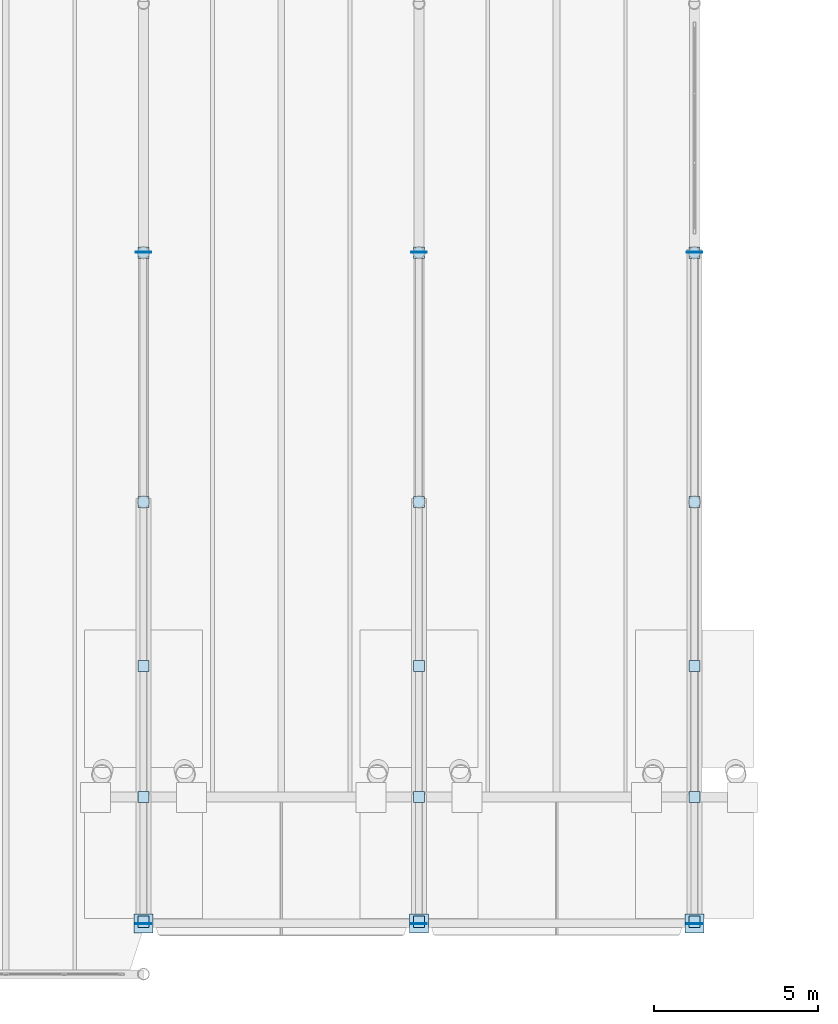
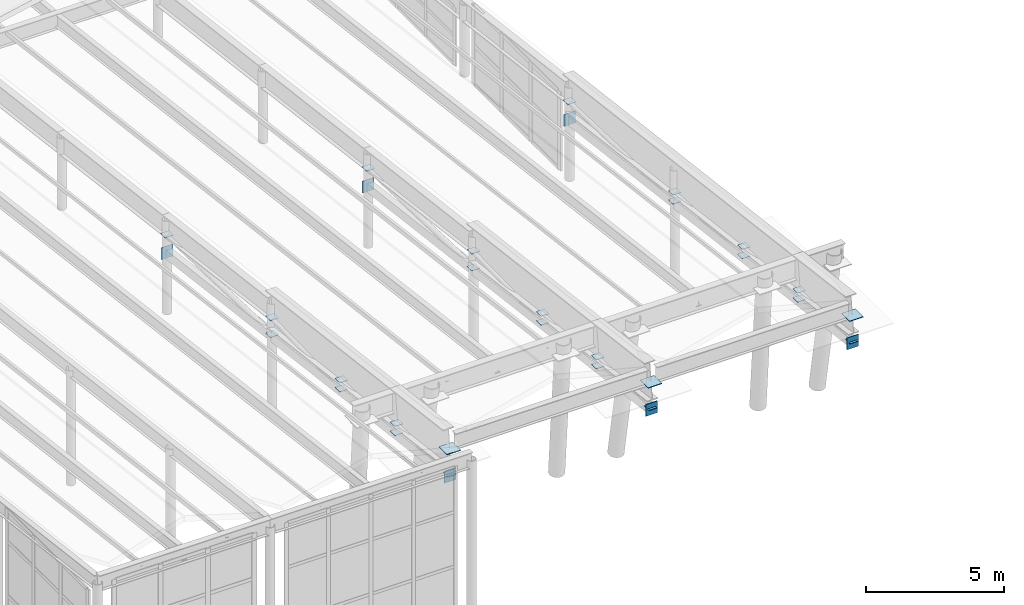
# One storey, part 13 of 14: 33 plates.
"""IFC4 building model written with IfcOpenShell, lengths in metres."""

from ifc_helpers import new_model, si_unit, direction, frame, origin, origin_2d, place, context, subcontext, project, spatial, rectangle, extrude, material, layer, layer_set, type_object, element, save


model = new_model("IFC4")

# Units and contexts
model_context = context("Model", 3, precision=1e-05, world=origin(), true_north=direction((0.0, 1.0)))
body_context = subcontext(model_context, "Body", "Model", "MODEL_VIEW")
ifc_project = project(units=[si_unit("LENGTHUNIT", "METRE"), si_unit("AREAUNIT", "SQUARE_METRE"), si_unit("VOLUMEUNIT", "CUBIC_METRE"), si_unit("PLANEANGLEUNIT", "RADIAN"), si_unit("MASSUNIT", "GRAM", prefix="KILO")], contexts=[model_context])

# Site, building, storey
site_placement = place(None, origin())
site = spatial("IfcSite", under=ifc_project, at=site_placement, CompositionType="ELEMENT")
building_placement = place(site_placement, origin())
building = spatial("IfcBuilding", under=site, at=building_placement, Name="Xicomal Pleat Aquarium", CompositionType="ELEMENT")
storey_placement = place(building_placement, frame((0.0, 0.0, 24.0)))
storey = spatial("IfcBuildingStorey", under=building, at=storey_placement, Name="RF", CompositionType="ELEMENT", Elevation=24.0)

# Plates
ifc_material_1 = material(Name="Structural steel A992 Gr 50", Category="steel")
ifc_layer_1 = layer(ifc_material_1, 0.02001953125)
ifc_layer_set_1 = layer_set([ifc_layer_1], Name="Structural steel A992 Gr 50")
plate_type_1 = type_object("IfcPlateType", Name="PLT-CAP-20", PredefinedType="SHEET", material=ifc_layer_set_1)
for number, where, z_axis, x_axis, name in (
    (1, (18.60009765625, 2.39990234375, 5.25), (0.0, 0.0, 1.0), (1.0, 0.0, 0.0), "RF cantilever diagonal bottom node cap 03-1"),
    (2, (18.60009765625, 6.199951171875, 5.173095703125), (0.0, 0.0, 1.0), (1.0, 0.0, 0.0), "RF cantilever diagonal top node cap 03-1"),
    (3, (18.60009765625, 6.199951171875, 4.77294921875), (0.0, 0.0, 1.0), (1.0, 0.0, 0.0), "RF cantilever diagonal bottom node cap 03-2"),
    (4, (18.60009765625, 10.199951171875, 4.669921875), (0.0, 0.0, 1.0), (1.0, 0.0, 0.0), "RF cantilever diagonal top node cap 03-2"),
    (5, (18.60009765625, 10.199951171875, 4.27001953125), (0.0, 0.0, 1.0), (1.0, 0.0, 0.0), "RF cantilever diagonal bottom node cap 03-3"),
    (6, (18.60009765625, 15.199951171875, 4.383056640625), (0.0, 0.0, 1.0), (1.0, 0.0, 0.0), "RF cantilever diagonal top node cap 03-3"),
    (7, (18.60009765625, 15.199951171875, 3.64306640625), (0.0, 0.0, 1.0), (1.0, 0.0, 0.0), "RF cantilever diagonal bottom node cap 03-4"),
    (8, (18.60009765625, 22.800048828125, 3.427978515625), (0.0, 0.0, 1.0), (1.0, 0.0, 0.0), "RF cantilever diagonal top node cap 03-4"),
    (9, (27.0, 2.39990234375, 5.25), (0.0, 0.0, 1.0), (1.0, 0.0, 0.0), "RF cantilever diagonal bottom node cap 04-1"),
    (10, (27.0, 6.199951171875, 5.173095703125), (0.0, 0.0, 1.0), (1.0, 0.0, 0.0), "RF cantilever diagonal top node cap 04-1"),
    (11, (27.0, 6.199951171875, 4.77294921875), (0.0, 0.0, 1.0), (1.0, 0.0, 0.0), "RF cantilever diagonal bottom node cap 04-2"),
    (12, (27.0, 10.199951171875, 4.669921875), (0.0, 0.0, 1.0), (1.0, 0.0, 0.0), "RF cantilever diagonal top node cap 04-2"),
    (13, (27.0, 10.199951171875, 4.27001953125), (0.0, 0.0, 1.0), (1.0, 0.0, 0.0), "RF cantilever diagonal bottom node cap 04-3"),
    (14, (27.0, 15.199951171875, 4.383056640625), (0.0, 0.0, 1.0), (1.0, 0.0, 0.0), "RF cantilever diagonal top node cap 04-3"),
    (15, (27.0, 15.199951171875, 3.64306640625), (0.0, 0.0, 1.0), (1.0, 0.0, 0.0), "RF cantilever diagonal bottom node cap 04-4"),
    (16, (27.0, 22.800048828125, 3.427978515625), (0.0, 0.0, 1.0), (1.0, 0.0, 0.0), "RF cantilever diagonal top node cap 04-4"),
    (17, (35.39990234375, 2.39990234375, 5.25), (0.0, 0.0, 1.0), (1.0, 0.0, 0.0), "RF cantilever diagonal bottom node cap 05-1"),
    (18, (35.39990234375, 6.199951171875, 5.173095703125), (0.0, 0.0, 1.0), (1.0, 0.0, 0.0), "RF cantilever diagonal top node cap 05-1"),
    (19, (35.39990234375, 6.199951171875, 4.77294921875), (0.0, 0.0, 1.0), (1.0, 0.0, 0.0), "RF cantilever diagonal bottom node cap 05-2"),
    (20, (35.39990234375, 10.199951171875, 4.669921875), (0.0, 0.0, 1.0), (1.0, 0.0, 0.0), "RF cantilever diagonal top node cap 05-2"),
    (21, (35.39990234375, 10.199951171875, 4.27001953125), (0.0, 0.0, 1.0), (1.0, 0.0, 0.0), "RF cantilever diagonal bottom node cap 05-3"),
    (22, (35.39990234375, 15.199951171875, 4.04296875), (0.0, 0.0, 1.0), (1.0, 0.0, 0.0), "RF cantilever diagonal top node cap 05-3"),
    (23, (35.39990234375, 15.199951171875, 3.64306640625), (0.0, 0.0, 1.0), (1.0, 0.0, 0.0), "RF cantilever diagonal bottom node cap 05-4"),
    (24, (35.39990234375, 22.800048828125, 3.427978515625), (0.0, 0.0, 1.0), (1.0, 0.0, 0.0), "RF cantilever diagonal top node cap 05-4"),
):
    element("IfcPlate", number, at=place(storey_placement, frame(where, z_axis=z_axis, x_axis=x_axis)), inside=storey, type_object=plate_type_1, Name=name, PredefinedType="SHEET", context=body_context, shape_type="SweptSolid", body=[
        extrude(rectangle(XDim=0.340087890625, YDim=0.340087890625, at=origin_2d()), origin(), (0.0, 0.0, 1.0), 0.02001953125),
    ])
ifc_material_2 = material(Name="Structural steel A992 Gr 50", Category="steel")
ifc_layer_2 = layer(ifc_material_2, 0.030029296875)
ifc_layer_set_2 = layer_set([ifc_layer_2], Name="Structural steel A992 Gr 50")
plate_type_2 = type_object("IfcPlateType", Name="PLT-CAP-30", PredefinedType="SHEET", material=ifc_layer_set_2)
for number, where, z_axis, x_axis, name in (
    (25, (18.60009765625, 2.35009765625, 6.3759765625), (0.0, 0.0, 1.0), (1.0, 0.0, 0.0), "RF raking tip strut top cap plate 03"),
    (26, (27.0, 2.35009765625, 6.3759765625), (0.0, 0.0, 1.0), (1.0, 0.0, 0.0), "RF raking tip strut top cap plate 04"),
    (27, (35.39990234375, 2.35009765625, 6.3759765625), (0.0, 0.0, 1.0), (1.0, 0.0, 0.0), "RF raking tip strut top cap plate 05"),
):
    element("IfcPlate", number, at=place(storey_placement, frame(where, z_axis=z_axis, x_axis=x_axis)), inside=storey, type_object=plate_type_2, Name=name, PredefinedType="SHEET", context=body_context, shape_type="SweptSolid", body=[
        extrude(rectangle(XDim=0.580078125, YDim=0.580078125, at=origin_2d()), origin(), (0.0, 0.0, 1.0), 0.030029296875),
    ])
for number, where, z_axis, x_axis, name in (
    (28, (18.60009765625, 2.3349609375, 4.966064453125), (0.0, 0.0, 1.0), (1.0, 0.0, 0.0), "RF cantilever chord south end cap plate 03"),
    (29, (18.60009765625, 22.81494140625, 2.39794921875), (0.0, 0.0, 1.0), (1.0, 0.0, 0.0), "RF cantilever chord north end cap plate 03"),
    (30, (27.0, 2.3349609375, 4.966064453125), (0.0, 0.0, 1.0), (1.0, 0.0, 0.0), "RF cantilever chord south end cap plate 04"),
    (31, (27.0, 22.81494140625, 2.39794921875), (0.0, 0.0, 1.0), (1.0, 0.0, 0.0), "RF cantilever chord north end cap plate 04"),
    (32, (35.39990234375, 2.3349609375, 4.966064453125), (0.0, 0.0, 1.0), (1.0, 0.0, 0.0), "RF cantilever chord south end cap plate 05"),
    (33, (35.39990234375, 22.81494140625, 2.39794921875), (0.0, 0.0, 1.0), (1.0, 0.0, 0.0), "RF cantilever chord north end cap plate 05"),
):
    element("IfcPlate", number, at=place(storey_placement, frame(where, z_axis=z_axis, x_axis=x_axis)), inside=storey, type_object=plate_type_2, Name=name, PredefinedType="SHEET", context=body_context, shape_type="SweptSolid", body=[
        extrude(rectangle(XDim=0.47998046875, YDim=0.030029296875, at=origin_2d()), origin(), (0.0, 0.0, 1.0), 0.52001953125),
    ])

save(model, "model.ifc")
